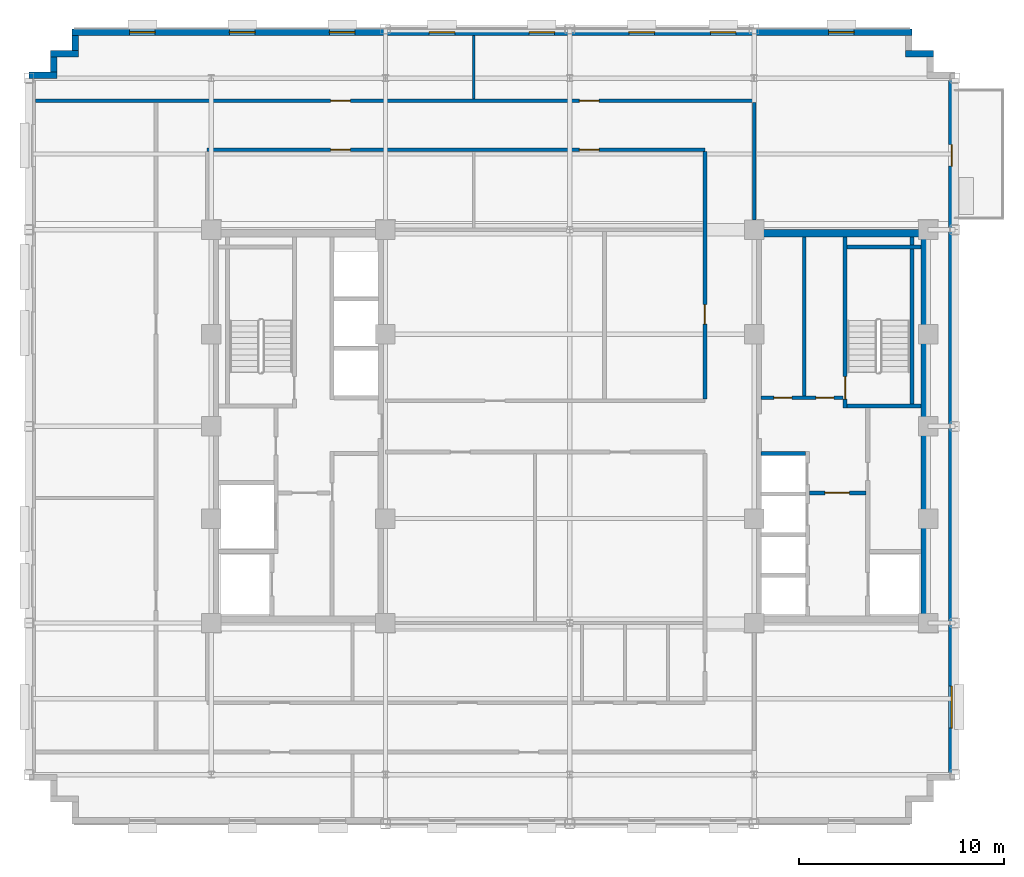
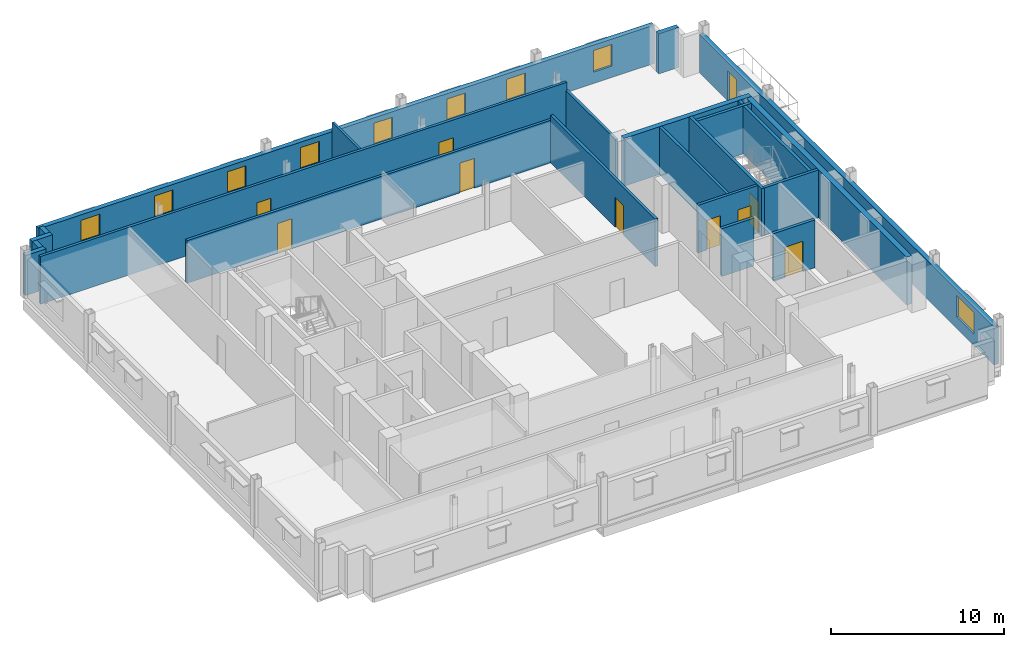
# One storey, part 8 of 13: 22 walls, 10 doors, 9 windows, 19 openings.
"""IFC4 building model written with IfcOpenShell, lengths in metres."""

from ifc_helpers import new_model, si_unit, direction, frame, frame_2d, origin, place, context, subcontext, project, spatial, rectangle, extrude, source, transform, mapped, material, layer, layer_set, type_object, type_shapes, element, fill, save


model = new_model("IFC4")

# Units and contexts
model_context = context("Model", 3, precision=1e-05, world=origin(), true_north=direction((0.0, 1.0)))
body_context = subcontext(model_context, "Body", "Model", "MODEL_VIEW")
ifc_project = project(units=[si_unit("LENGTHUNIT", "METRE"), si_unit("AREAUNIT", "SQUARE_METRE"), si_unit("VOLUMEUNIT", "CUBIC_METRE"), si_unit("PLANEANGLEUNIT", "RADIAN"), si_unit("MASSUNIT", "GRAM", prefix="KILO")], contexts=[model_context])

# Site, building, storey
site_placement = place(None, origin())
site = spatial("IfcSite", under=ifc_project, at=site_placement, CompositionType="ELEMENT")
building_placement = place(site_placement, origin())
building = spatial("IfcBuilding", under=site, at=building_placement, Name="Nuvemarco Arch Tower", CompositionType="ELEMENT")
storey_placement = place(building_placement, frame((0.0, 0.0, 220.10009765625)))
storey = spatial("IfcBuildingStorey", under=building, at=storey_placement, Name="L58", CompositionType="ELEMENT", Elevation=220.10009765625)

# Wall, openings, door, window
ifc_material_1 = material(Name="Precast concrete C45/55", Category="concrete")
ifc_layer_1 = layer(ifc_material_1, 0.31005859375, Name="EW-UPP-310")
ifc_layer_set_1 = layer_set([ifc_layer_1], Name="Precast concrete C45/55")
wall_type_1 = type_object("IfcWallType", Name="EW-UPP-310", PredefinedType="STANDARD", material=ifc_layer_set_1)
wall_1_placement = place(storey_placement, frame((18.64501953125, -16.993896484375, 0.0), z_axis=(0.0, 0.0, 1.0), x_axis=(0.0, 1.0, 0.0)))
wall_1 = element("IfcWall", 1, at=wall_1_placement, inside=storey, type_object=wall_type_1, Name="L58 exterior precast facade wall 6", PredefinedType="STANDARD", context=body_context, shape_type="SweptSolid", body=[
    extrude(rectangle(XDim=33.98779296875, YDim=0.31005859375, at=frame_2d((16.993896484375, 0.0))), origin(), (0.0, 0.0, 1.0), 2.704833984375),
])
opening_1_placement = place(wall_1_placement, frame((30.744140625, 0.0, 0.0), z_axis=(0.0, 0.0, 1.0), x_axis=(-1.0, 0.0, 0.0)))
opening_1 = element("IfcOpeningElement", 2, at=opening_1_placement, cuts=wall_1, Name="Opening ED-5", PredefinedType="OPENING", context=body_context, shape_type="SweptSolid", body=[
    extrude(rectangle(XDim=1.050048828125, YDim=2.10009765625, at=frame_2d((0.52490234375, 1.050048828125))), frame((0.0, 0.1650390625, 0.0), z_axis=(0.0, -1.0, 0.0), x_axis=(1.0, 0.0, 0.0)), (0.0, 0.0, 1.0), 0.330078125),
])
opening_2_placement = place(wall_1_placement, frame((2.260009765625, 0.0, 0.800048828125)))
opening_2 = element("IfcOpeningElement", 3, at=opening_2_placement, cuts=wall_1, Name="Opening WN-12", PredefinedType="OPENING", context=body_context, shape_type="SweptSolid", body=[
    extrude(rectangle(XDim=2.050048828125, YDim=1.52001953125, at=frame_2d((1.02490234375, 0.760009765625))), frame((0.0, 0.1650390625, 0.0), z_axis=(0.0, -1.0, 0.0), x_axis=(1.0, 0.0, 0.0)), (0.0, 0.0, 1.0), 0.330078125),
])
ifc_material_2 = material(Name="Anodised bronze and laminated glass", Category="glass")
door_type_1 = type_object("IfcDoorType", Name="DR-EXT-TERR", OperationType="NOTDEFINED", PredefinedType="DOOR", material=ifc_material_2)
shared_shape_1 = source(origin(), body_context, "Body", "SweptSolid", [
    extrude(rectangle(XDim=1.050048828125, YDim=2.10009765625, at=frame_2d((0.52490234375, 1.050048828125))), frame((0.0, 0.02490234375, 0.0), z_axis=(0.0, -1.0, 0.0), x_axis=(1.0, 0.0, 0.0)), (0.0, 0.0, 1.0), 0.050048828125),
])
type_shapes(door_type_1, [shared_shape_1])
door_1_placement = place(opening_1_placement, origin())
door_1 = element("IfcDoor", 4, at=door_1_placement, inside=storey, type_object=door_type_1, Name="L58 spiral terrace access door", OperationType="SINGLE_SWING_LEFT", OverallHeight=2.10009765625, OverallWidth=1.050048828125, PredefinedType="DOOR", context=body_context, shape_type="MappedRepresentation", body=[
    mapped(shared_shape_1, transform((0.0, 0.0, 0.0), scale=1.0)),
])
fill(opening_1, door_1)
ifc_material_3 = material(Name="Insulated solar-control glass", Category="glass")
window_type_1 = type_object("IfcWindowType", Name="WN-SET-2050x1520", PartitioningType="DOUBLE_PANEL_VERTICAL", PredefinedType="WINDOW", material=ifc_material_3)
shared_shape_2 = source(origin(), body_context, "Body", "SweptSolid", [
    extrude(rectangle(XDim=2.050048828125, YDim=1.52001953125, at=frame_2d((1.02490234375, 0.760009765625))), frame((0.0, 0.030029296875, 0.0), z_axis=(0.0, -1.0, 0.0), x_axis=(1.0, 0.0, 0.0)), (0.0, 0.0, 1.0), 0.06005859375),
])
type_shapes(window_type_1, [shared_shape_2])
window_1_placement = place(opening_2_placement, origin())
window_1 = element("IfcWindow", 5, at=window_1_placement, inside=storey, type_object=window_type_1, Name="L58 punched facade window 1", OverallHeight=1.52001953125, OverallWidth=2.050048828125, PartitioningType="SINGLE_PANEL", PredefinedType="WINDOW", context=body_context, shape_type="MappedRepresentation", body=[
    mapped(shared_shape_2, transform((0.0, 0.0, 0.0), scale=1.0)),
])
fill(opening_2, window_1)

# Wall
wall_2_placement = place(storey_placement, frame((16.389892578125, 18.195068359375, 0.0), z_axis=(0.0, 0.0, 1.0), x_axis=(1.0, 0.0, 0.0)))
element("IfcWall", 6, at=wall_2_placement, inside=storey, type_object=wall_type_1, Name="L58 exterior precast facade wall 9", PredefinedType="STANDARD", context=body_context, shape_type="SweptSolid", body=[
    extrude(rectangle(XDim=1.360107421875, YDim=0.31005859375, at=frame_2d((0.68017578125, 0.0))), origin(), (0.0, 0.0, 1.0), 2.81591796875),
])

# Wall, openings, windows
wall_3_placement = place(storey_placement, frame((-24.300048828125, 19.2451171875, 0.0), z_axis=(0.0, 0.0, 1.0), x_axis=(1.0, 0.0, 0.0)))
wall_3 = element("IfcWall", 7, at=wall_3_placement, inside=storey, type_object=wall_type_1, Name="L58 exterior precast facade wall 11", PredefinedType="STANDARD", context=body_context, shape_type="SweptSolid", body=[
    extrude(rectangle(XDim=41.0, YDim=0.31005859375, at=frame_2d((20.5, 0.0))), origin(), (0.0, 0.0, 1.0), 2.704833984375),
])
opening_3_placement = place(wall_3_placement, frame((2.8125, 0.0, 0.800048828125)))
opening_3 = element("IfcOpeningElement", 8, at=opening_3_placement, cuts=wall_3, Name="Opening WN-13", PredefinedType="OPENING", context=body_context, shape_type="SweptSolid", body=[
    extrude(rectangle(XDim=1.25, YDim=1.52001953125, at=frame_2d((0.625, 0.760009765625))), frame((0.0, 0.1650390625, 0.0), z_axis=(0.0, -1.0, 0.0), x_axis=(1.0, 0.0, 0.0)), (0.0, 0.0, 1.0), 0.330078125),
])
opening_4_placement = place(wall_3_placement, frame((7.6875, 0.0, 0.800048828125)))
opening_4 = element("IfcOpeningElement", 9, at=opening_4_placement, cuts=wall_3, Name="Opening WN-13", PredefinedType="OPENING", context=body_context, shape_type="SweptSolid", body=[
    extrude(rectangle(XDim=1.25, YDim=1.52001953125, at=frame_2d((0.625, 0.760009765625))), frame((0.0, 0.1650390625, 0.0), z_axis=(0.0, -1.0, 0.0), x_axis=(1.0, 0.0, 0.0)), (0.0, 0.0, 1.0), 0.330078125),
])
opening_5_placement = place(wall_3_placement, frame((12.5625, 0.0, 0.800048828125)))
opening_5 = element("IfcOpeningElement", 10, at=opening_5_placement, cuts=wall_3, Name="Opening WN-13", PredefinedType="OPENING", context=body_context, shape_type="SweptSolid", body=[
    extrude(rectangle(XDim=1.25, YDim=1.52001953125, at=frame_2d((0.625, 0.760009765625))), frame((0.0, 0.1650390625, 0.0), z_axis=(0.0, -1.0, 0.0), x_axis=(1.0, 0.0, 0.0)), (0.0, 0.0, 1.0), 0.330078125),
])
opening_6_placement = place(wall_3_placement, frame((17.4375, 0.0, 0.800048828125)))
opening_6 = element("IfcOpeningElement", 11, at=opening_6_placement, cuts=wall_3, Name="Opening WN-13", PredefinedType="OPENING", context=body_context, shape_type="SweptSolid", body=[
    extrude(rectangle(XDim=1.25, YDim=1.52001953125, at=frame_2d((0.625, 0.760009765625))), frame((0.0, 0.1650390625, 0.0), z_axis=(0.0, -1.0, 0.0), x_axis=(1.0, 0.0, 0.0)), (0.0, 0.0, 1.0), 0.330078125),
])
opening_7_placement = place(wall_3_placement, frame((22.3125, 0.0, 0.800048828125)))
opening_7 = element("IfcOpeningElement", 12, at=opening_7_placement, cuts=wall_3, Name="Opening WN-13", PredefinedType="OPENING", context=body_context, shape_type="SweptSolid", body=[
    extrude(rectangle(XDim=1.25, YDim=1.52001953125, at=frame_2d((0.625, 0.760009765625))), frame((0.0, 0.1650390625, 0.0), z_axis=(0.0, -1.0, 0.0), x_axis=(1.0, 0.0, 0.0)), (0.0, 0.0, 1.0), 0.330078125),
])
opening_8_placement = place(wall_3_placement, frame((27.1875, 0.0, 0.800048828125)))
opening_8 = element("IfcOpeningElement", 13, at=opening_8_placement, cuts=wall_3, Name="Opening WN-13", PredefinedType="OPENING", context=body_context, shape_type="SweptSolid", body=[
    extrude(rectangle(XDim=1.25, YDim=1.52001953125, at=frame_2d((0.625, 0.760009765625))), frame((0.0, 0.1650390625, 0.0), z_axis=(0.0, -1.0, 0.0), x_axis=(1.0, 0.0, 0.0)), (0.0, 0.0, 1.0), 0.330078125),
])
opening_9_placement = place(wall_3_placement, frame((31.16259765625, 0.0, 0.800048828125)))
opening_9 = element("IfcOpeningElement", 14, at=opening_9_placement, cuts=wall_3, Name="Opening WN-13", PredefinedType="OPENING", context=body_context, shape_type="SweptSolid", body=[
    extrude(rectangle(XDim=1.25, YDim=1.52001953125, at=frame_2d((0.625, 0.760009765625))), frame((0.0, 0.1650390625, 0.0), z_axis=(0.0, -1.0, 0.0), x_axis=(1.0, 0.0, 0.0)), (0.0, 0.0, 1.0), 0.330078125),
])
opening_10_placement = place(wall_3_placement, frame((36.9375, 0.0, 0.800048828125)))
opening_10 = element("IfcOpeningElement", 15, at=opening_10_placement, cuts=wall_3, Name="Opening WN-13", PredefinedType="OPENING", context=body_context, shape_type="SweptSolid", body=[
    extrude(rectangle(XDim=1.25, YDim=1.52001953125, at=frame_2d((0.625, 0.760009765625))), frame((0.0, 0.1650390625, 0.0), z_axis=(0.0, -1.0, 0.0), x_axis=(1.0, 0.0, 0.0)), (0.0, 0.0, 1.0), 0.330078125),
])
window_type_2 = type_object("IfcWindowType", Name="WN-SET-1250x1520", PartitioningType="SINGLE_PANEL", PredefinedType="WINDOW", material=ifc_material_3)
shared_shape_3 = source(origin(), body_context, "Body", "SweptSolid", [
    extrude(rectangle(XDim=1.25, YDim=1.52001953125, at=frame_2d((0.625, 0.760009765625))), frame((0.0, 0.030029296875, 0.0), z_axis=(0.0, -1.0, 0.0), x_axis=(1.0, 0.0, 0.0)), (0.0, 0.0, 1.0), 0.06005859375),
])
type_shapes(window_type_2, [shared_shape_3])
window_2_placement = place(opening_3_placement, origin())
window_2 = element("IfcWindow", 16, at=window_2_placement, inside=storey, type_object=window_type_2, Name="L58 punched facade window 1", OverallHeight=1.52001953125, OverallWidth=1.25, PartitioningType="SINGLE_PANEL", PredefinedType="WINDOW", context=body_context, shape_type="MappedRepresentation", body=[
    mapped(shared_shape_3, transform((0.0, 0.0, 0.0), scale=1.0)),
])
fill(opening_3, window_2)
window_3_placement = place(opening_4_placement, origin())
window_3 = element("IfcWindow", 17, at=window_3_placement, inside=storey, type_object=window_type_2, Name="L58 punched facade window 2", OverallHeight=1.52001953125, OverallWidth=1.25, PartitioningType="SINGLE_PANEL", PredefinedType="WINDOW", context=body_context, shape_type="MappedRepresentation", body=[
    mapped(shared_shape_3, transform((0.0, 0.0, 0.0), scale=1.0)),
])
fill(opening_4, window_3)
window_4_placement = place(opening_5_placement, origin())
window_4 = element("IfcWindow", 18, at=window_4_placement, inside=storey, type_object=window_type_2, Name="L58 punched facade window 3", OverallHeight=1.52001953125, OverallWidth=1.25, PartitioningType="SINGLE_PANEL", PredefinedType="WINDOW", context=body_context, shape_type="MappedRepresentation", body=[
    mapped(shared_shape_3, transform((0.0, 0.0, 0.0), scale=1.0)),
])
fill(opening_5, window_4)
window_5_placement = place(opening_6_placement, origin())
window_5 = element("IfcWindow", 19, at=window_5_placement, inside=storey, type_object=window_type_2, Name="L58 punched facade window 4", OverallHeight=1.52001953125, OverallWidth=1.25, PartitioningType="SINGLE_PANEL", PredefinedType="WINDOW", context=body_context, shape_type="MappedRepresentation", body=[
    mapped(shared_shape_3, transform((0.0, 0.0, 0.0), scale=1.0)),
])
fill(opening_6, window_5)
window_6_placement = place(opening_7_placement, origin())
window_6 = element("IfcWindow", 20, at=window_6_placement, inside=storey, type_object=window_type_2, Name="L58 punched facade window 5", OverallHeight=1.52001953125, OverallWidth=1.25, PartitioningType="SINGLE_PANEL", PredefinedType="WINDOW", context=body_context, shape_type="MappedRepresentation", body=[
    mapped(shared_shape_3, transform((0.0, 0.0, 0.0), scale=1.0)),
])
fill(opening_7, window_6)
window_7_placement = place(opening_8_placement, origin())
window_7 = element("IfcWindow", 21, at=window_7_placement, inside=storey, type_object=window_type_2, Name="L58 punched facade window 6", OverallHeight=1.52001953125, OverallWidth=1.25, PartitioningType="SINGLE_PANEL", PredefinedType="WINDOW", context=body_context, shape_type="MappedRepresentation", body=[
    mapped(shared_shape_3, transform((0.0, 0.0, 0.0), scale=1.0)),
])
fill(opening_8, window_7)
window_8_placement = place(opening_9_placement, origin())
window_8 = element("IfcWindow", 22, at=window_8_placement, inside=storey, type_object=window_type_2, Name="L58 punched facade window 7", OverallHeight=1.52001953125, OverallWidth=1.25, PartitioningType="SINGLE_PANEL", PredefinedType="WINDOW", context=body_context, shape_type="MappedRepresentation", body=[
    mapped(shared_shape_3, transform((0.0, 0.0, 0.0), scale=1.0)),
])
fill(opening_9, window_8)
window_9_placement = place(opening_10_placement, origin())
window_9 = element("IfcWindow", 23, at=window_9_placement, inside=storey, type_object=window_type_2, Name="L58 punched facade window 8", OverallHeight=1.52001953125, OverallWidth=1.25, PartitioningType="SINGLE_PANEL", PredefinedType="WINDOW", context=body_context, shape_type="MappedRepresentation", body=[
    mapped(shared_shape_3, transform((0.0, 0.0, 0.0), scale=1.0)),
])
fill(opening_10, window_9)

# Walls
wall_4_placement = place(storey_placement, frame((-24.14501953125, 18.345947265625, 0.0), z_axis=(0.0, 0.0, 1.0), x_axis=(0.0, 1.0, 0.0)))
element("IfcWall", 24, at=wall_4_placement, inside=storey, type_object=wall_type_1, Name="L58 exterior precast facade wall 12", PredefinedType="STANDARD", context=body_context, shape_type="SweptSolid", body=[
    extrude(rectangle(XDim=0.748046875, YDim=0.31005859375, at=frame_2d((0.3740234375, 0.0))), origin(), (0.0, 0.0, 1.0), 2.81591796875),
])
wall_5_placement = place(storey_placement, frame((-25.35009765625, 18.195068359375, 0.0), z_axis=(0.0, 0.0, 1.0), x_axis=(1.0, 0.0, 0.0)))
element("IfcWall", 25, at=wall_5_placement, inside=storey, type_object=wall_type_1, Name="L58 exterior precast facade wall 13", PredefinedType="STANDARD", context=body_context, shape_type="SweptSolid", body=[
    extrude(rectangle(XDim=1.360107421875, YDim=0.31005859375, at=frame_2d((0.68017578125, 0.0))), origin(), (0.0, 0.0, 1.0), 2.81591796875),
])
wall_6_placement = place(storey_placement, frame((-25.195068359375, 17.2958984375, 0.0), z_axis=(0.0, 0.0, 1.0), x_axis=(0.0, 1.0, 0.0)))
element("IfcWall", 26, at=wall_6_placement, inside=storey, type_object=wall_type_1, Name="L58 exterior precast facade wall 14", PredefinedType="STANDARD", context=body_context, shape_type="SweptSolid", body=[
    extrude(rectangle(XDim=0.748046875, YDim=0.31005859375, at=frame_2d((0.3740234375, 0.0))), origin(), (0.0, 0.0, 1.0), 2.81591796875),
])
wall_7_placement = place(storey_placement, frame((-26.39990234375, 17.14501953125, 0.0), z_axis=(0.0, 0.0, 1.0), x_axis=(1.0, 0.0, 0.0)))
element("IfcWall", 27, at=wall_7_placement, inside=storey, type_object=wall_type_1, Name="L58 exterior precast facade wall 15", PredefinedType="STANDARD", context=body_context, shape_type="SweptSolid", body=[
    extrude(rectangle(XDim=1.35986328125, YDim=0.31005859375, at=frame_2d((0.679931640625, 0.0))), origin(), (0.0, 0.0, 1.0), 2.81591796875),
])
ifc_material_4 = material(Name="Concrete C50/60", Category="concrete")
ifc_layer_2 = layer(ifc_material_4, 0.35009765625, Name="WL-CORE-350")
ifc_layer_set_2 = layer_set([ifc_layer_2], Name="Concrete C50/60")
wall_type_2 = type_object("IfcWallType", Name="WL-CORE-350", PredefinedType="SHEAR", material=ifc_layer_set_2)
wall_8_placement = place(storey_placement, frame((9.0, 9.425048828125, 0.0), z_axis=(0.0, 0.0, 1.0), x_axis=(1.0, 0.0, 0.0)))
element("IfcWall", 28, at=wall_8_placement, inside=storey, type_object=wall_type_2, Name="L58 E-core shear wall N", PredefinedType="SHEAR", context=body_context, shape_type="SweptSolid", body=[
    extrude(rectangle(XDim=8.5, YDim=0.35009765625, at=frame_2d((4.25, 0.0))), origin(), (0.0, 0.0, 1.0), 3.369873046875),
])
wall_9_placement = place(storey_placement, frame((17.324951171875, -9.2548828125, 0.0), z_axis=(0.0, 0.0, 1.0), x_axis=(0.0, 1.0, 0.0)))
element("IfcWall", 29, at=wall_9_placement, inside=storey, type_object=wall_type_2, Name="L58 E-core shear wall E", PredefinedType="SHEAR", context=body_context, shape_type="SweptSolid", body=[
    extrude(rectangle(XDim=18.509765625, YDim=0.35009765625, at=frame_2d((9.2548828125, 0.0))), origin(), (0.0, 0.0, 1.0), 3.369873046875),
])

# Wall, openings, doors
ifc_material_5 = material(Name="Fire-rated gypsum drywall partition")
ifc_layer_3 = layer(ifc_material_5, 0.179931640625, Name="WL-CORR-180")
ifc_layer_set_3 = layer_set([ifc_layer_3], Name="Fire-rated gypsum drywall partition")
wall_type_3 = type_object("IfcWallType", Name="WL-CORR-180", PredefinedType="PARTITIONING", material=ifc_layer_set_3)
wall_10_placement = place(storey_placement, frame((9.344970703125, 1.39990234375, 0.0), z_axis=(0.0, 0.0, 1.0), x_axis=(1.0, 0.0, 0.0)))
wall_10 = element("IfcWall", 30, at=wall_10_placement, inside=storey, type_object=wall_type_3, Name="L58 interior wall IW-L58-EK-S", PredefinedType="PARTITIONING", context=body_context, shape_type="SweptSolid", body=[
    extrude(rectangle(XDim=4.0, YDim=0.179931640625, at=frame_2d((2.0, 0.0))), origin(), (0.0, 0.0, 1.0), 3.35986328125),
])
opening_11_placement = place(wall_10_placement, frame((0.614990234375, 0.0, 0.0)))
opening_11 = element("IfcOpeningElement", 31, at=opening_11_placement, cuts=wall_10, Name="Opening FD-4", PredefinedType="OPENING", context=body_context, shape_type="SweptSolid", body=[
    extrude(rectangle(XDim=0.8798828125, YDim=2.10009765625, at=frame_2d((0.43994140625, 1.050048828125))), frame((0.0, 0.099853515625, 0.0), z_axis=(0.0, -1.0, 0.0), x_axis=(1.0, 0.0, 0.0)), (0.0, 0.0, 1.0), 0.199951171875),
])
opening_12_placement = place(wall_10_placement, frame((2.6650390625, 0.0, 0.0)))
opening_12 = element("IfcOpeningElement", 32, at=opening_12_placement, cuts=wall_10, Name="Opening FD-4", PredefinedType="OPENING", context=body_context, shape_type="SweptSolid", body=[
    extrude(rectangle(XDim=0.8798828125, YDim=2.10009765625, at=frame_2d((0.43994140625, 1.050048828125))), frame((0.0, 0.099853515625, 0.0), z_axis=(0.0, -1.0, 0.0), x_axis=(1.0, 0.0, 0.0)), (0.0, 0.0, 1.0), 0.199951171875),
])
ifc_material_6 = material(Name="Anodised steel fire door", Category="steel")
door_type_2 = type_object("IfcDoorType", Name="DR-RISER-FD", OperationType="NOTDEFINED", PredefinedType="DOOR", material=ifc_material_6)
shared_shape_4 = source(origin(), body_context, "Body", "SweptSolid", [
    extrude(rectangle(XDim=0.8798828125, YDim=2.10009765625, at=frame_2d((0.43994140625, 1.050048828125))), frame((0.0, 0.02490234375, 0.0), z_axis=(0.0, -1.0, 0.0), x_axis=(1.0, 0.0, 0.0)), (0.0, 0.0, 1.0), 0.050048828125),
])
type_shapes(door_type_2, [shared_shape_4])
door_2_placement = place(opening_11_placement, origin())
door_2 = element("IfcDoor", 33, at=door_2_placement, inside=storey, type_object=door_type_2, Name="L58 door FD-L58-EK2A", OperationType="SINGLE_SWING_RIGHT", OverallHeight=2.10009765625, OverallWidth=0.8798828125, PredefinedType="DOOR", context=body_context, shape_type="MappedRepresentation", body=[
    mapped(shared_shape_4, transform((0.0, 0.0, 0.0), scale=1.0)),
])
fill(opening_11, door_2)
door_3_placement = place(opening_12_placement, origin())
door_3 = element("IfcDoor", 34, at=door_3_placement, inside=storey, type_object=door_type_2, Name="L58 door FD-L58-EK2B", OperationType="SINGLE_SWING_LEFT", OverallHeight=2.10009765625, OverallWidth=0.8798828125, PredefinedType="DOOR", context=body_context, shape_type="MappedRepresentation", body=[
    mapped(shared_shape_4, transform((0.0, 0.0, 0.0), scale=1.0)),
])
fill(opening_12, door_3)

# Wall
wall_11_placement = place(storey_placement, frame((11.449951171875, 1.489990234375, 0.0), z_axis=(0.0, 0.0, 1.0), x_axis=(0.0, 1.0, 0.0)))
element("IfcWall", 35, at=wall_11_placement, inside=storey, type_object=wall_type_3, Name="L58 interior wall IW-L58-EK2", PredefinedType="PARTITIONING", context=body_context, shape_type="SweptSolid", body=[
    extrude(rectangle(XDim=7.764892578125, YDim=0.179931640625, at=frame_2d((3.88232421875, 0.0))), origin(), (0.0, 0.0, 1.0), 3.35986328125),
])

# Wall, openings, doors
wall_12_placement = place(storey_placement, frame((-17.699951171875, 13.5, 0.0), z_axis=(0.0, 0.0, 1.0), x_axis=(1.0, 0.0, 0.0)))
wall_12 = element("IfcWall", 36, at=wall_12_placement, inside=storey, type_object=wall_type_3, Name="L58 interior wall IW-L58-010", PredefinedType="PARTITIONING", context=body_context, shape_type="SweptSolid", body=[
    extrude(rectangle(XDim=24.300048828125, YDim=0.179931640625, at=frame_2d((12.14990234375, 0.0))), origin(), (0.0, 0.0, 1.0), 3.0078125),
])
opening_13_placement = place(wall_12_placement, frame((6.02490234375, 0.0, 0.0)))
opening_13 = element("IfcOpeningElement", 37, at=opening_13_placement, cuts=wall_12, Name="Opening FD-5", PredefinedType="OPENING", context=body_context, shape_type="SweptSolid", body=[
    extrude(rectangle(XDim=0.9599609375, YDim=2.10009765625, at=frame_2d((0.47998046875, 1.050048828125))), frame((0.0, 0.099853515625, 0.0), z_axis=(0.0, -1.0, 0.0), x_axis=(1.0, 0.0, 0.0)), (0.0, 0.0, 1.0), 0.199951171875),
])
opening_14_placement = place(wall_12_placement, frame((18.175048828125, 0.0, 0.0)))
opening_14 = element("IfcOpeningElement", 38, at=opening_14_placement, cuts=wall_12, Name="Opening FD-5", PredefinedType="OPENING", context=body_context, shape_type="SweptSolid", body=[
    extrude(rectangle(XDim=0.9599609375, YDim=2.10009765625, at=frame_2d((0.47998046875, 1.050048828125))), frame((0.0, 0.099853515625, 0.0), z_axis=(0.0, -1.0, 0.0), x_axis=(1.0, 0.0, 0.0)), (0.0, 0.0, 1.0), 0.199951171875),
])
ifc_material_7 = material(Name="Timber fire door", Category="wood")
door_type_3 = type_object("IfcDoorType", Name="DR-CORR-FD", OperationType="NOTDEFINED", PredefinedType="DOOR", material=ifc_material_7)
shared_shape_5 = source(origin(), body_context, "Body", "SweptSolid", [
    extrude(rectangle(XDim=0.9599609375, YDim=2.10009765625, at=frame_2d((0.47998046875, 1.050048828125))), frame((0.0, 0.02490234375, 0.0), z_axis=(0.0, -1.0, 0.0), x_axis=(1.0, 0.0, 0.0)), (0.0, 0.0, 1.0), 0.050048828125),
])
type_shapes(door_type_3, [shared_shape_5])
door_4_placement = place(opening_13_placement, origin())
door_4 = element("IfcDoor", 39, at=door_4_placement, inside=storey, type_object=door_type_3, Name="L58 door DR-L58-IN_N1", OperationType="SINGLE_SWING_LEFT", OverallHeight=2.10009765625, OverallWidth=0.9599609375, PredefinedType="DOOR", context=body_context, shape_type="MappedRepresentation", body=[
    mapped(shared_shape_5, transform((0.0, 0.0, 0.0), scale=1.0)),
])
fill(opening_13, door_4)
door_5_placement = place(opening_14_placement, origin())
door_5 = element("IfcDoor", 40, at=door_5_placement, inside=storey, type_object=door_type_3, Name="L58 door DR-L58-N_2_2", OperationType="SINGLE_SWING_LEFT", OverallHeight=2.10009765625, OverallWidth=0.9599609375, PredefinedType="DOOR", context=body_context, shape_type="MappedRepresentation", body=[
    mapped(shared_shape_5, transform((0.0, 0.0, 0.0), scale=1.0)),
])
fill(opening_14, door_5)

wall_13_placement = place(storey_placement, frame((-26.090087890625, 15.89990234375, 0.0), z_axis=(0.0, 0.0, 1.0), x_axis=(1.0, 0.0, 0.0)))
wall_13 = element("IfcWall", 41, at=wall_13_placement, inside=storey, type_object=wall_type_3, Name="L58 interior wall IW-L58-011", PredefinedType="PARTITIONING", context=body_context, shape_type="SweptSolid", body=[
    extrude(rectangle(XDim=35.090087890625, YDim=0.179931640625, at=frame_2d((17.544921875, 0.0))), origin(), (0.0, 0.0, 1.0), 3.35986328125),
])
opening_15_placement = place(wall_13_placement, frame((14.4150390625, 0.0, 0.0)))
opening_15 = element("IfcOpeningElement", 42, at=opening_15_placement, cuts=wall_13, Name="Opening FD-5", PredefinedType="OPENING", context=body_context, shape_type="SweptSolid", body=[
    extrude(rectangle(XDim=0.9599609375, YDim=2.10009765625, at=frame_2d((0.47998046875, 1.050048828125))), frame((0.0, 0.099853515625, 0.0), z_axis=(0.0, -1.0, 0.0), x_axis=(1.0, 0.0, 0.0)), (0.0, 0.0, 1.0), 0.199951171875),
])
opening_16_placement = place(wall_13_placement, frame((26.56494140625, 0.0, 0.0)))
opening_16 = element("IfcOpeningElement", 43, at=opening_16_placement, cuts=wall_13, Name="Opening FD-5", PredefinedType="OPENING", context=body_context, shape_type="SweptSolid", body=[
    extrude(rectangle(XDim=0.9599609375, YDim=2.10009765625, at=frame_2d((0.47998046875, 1.050048828125))), frame((0.0, 0.099853515625, 0.0), z_axis=(0.0, -1.0, 0.0), x_axis=(1.0, 0.0, 0.0)), (0.0, 0.0, 1.0), 0.199951171875),
])
door_6_placement = place(opening_15_placement, origin())
door_6 = element("IfcDoor", 44, at=door_6_placement, inside=storey, type_object=door_type_3, Name="L58 door DR-L58-N_1", OperationType="SINGLE_SWING_RIGHT", OverallHeight=2.10009765625, OverallWidth=0.9599609375, PredefinedType="DOOR", context=body_context, shape_type="MappedRepresentation", body=[
    mapped(shared_shape_5, transform((0.0, 0.0, 0.0), scale=1.0)),
])
fill(opening_15, door_6)
door_7_placement = place(opening_16_placement, origin())
door_7 = element("IfcDoor", 45, at=door_7_placement, inside=storey, type_object=door_type_3, Name="L58 door DR-L58-N_2", OperationType="SINGLE_SWING_RIGHT", OverallHeight=2.10009765625, OverallWidth=0.9599609375, PredefinedType="DOOR", context=body_context, shape_type="MappedRepresentation", body=[
    mapped(shared_shape_5, transform((0.0, 0.0, 0.0), scale=1.0)),
])
fill(opening_16, door_7)

# Wall, opening, door
wall_14_placement = place(storey_placement, frame((6.60009765625, 1.3359375, 0.0), z_axis=(0.0, 0.0, 1.0), x_axis=(0.0, 1.0, 0.0)))
wall_14 = element("IfcWall", 46, at=wall_14_placement, inside=storey, type_object=wall_type_3, Name="L58 interior wall IW-L58-025", PredefinedType="PARTITIONING", context=body_context, shape_type="SweptSolid", body=[
    extrude(rectangle(XDim=12.078125, YDim=0.179931640625, at=frame_2d((6.0390625, 0.0))), origin(), (0.0, 0.0, 1.0), 3.35986328125),
])
opening_17_placement = place(wall_14_placement, frame((3.652099609375, 0.0, 0.0)))
opening_17 = element("IfcOpeningElement", 47, at=opening_17_placement, cuts=wall_14, Name="Opening FD-5", PredefinedType="OPENING", context=body_context, shape_type="SweptSolid", body=[
    extrude(rectangle(XDim=0.9599609375, YDim=2.10009765625, at=frame_2d((0.47998046875, 1.050048828125))), frame((0.0, 0.099853515625, 0.0), z_axis=(0.0, -1.0, 0.0), x_axis=(1.0, 0.0, 0.0)), (0.0, 0.0, 1.0), 0.199951171875),
])
door_8_placement = place(opening_17_placement, origin())
door_8 = element("IfcDoor", 48, at=door_8_placement, inside=storey, type_object=door_type_3, Name="L58 door DR-L58-C_NE", OperationType="SINGLE_SWING_RIGHT", OverallHeight=2.10009765625, OverallWidth=0.9599609375, PredefinedType="DOOR", context=body_context, shape_type="MappedRepresentation", body=[
    mapped(shared_shape_5, transform((0.0, 0.0, 0.0), scale=1.0)),
])
fill(opening_17, door_8)

# Walls
wall_15_placement = place(storey_placement, frame((9.0, 10.071044921875, 0.0), z_axis=(0.0, 0.0, 1.0), x_axis=(0.0, 1.0, 0.0)))
element("IfcWall", 49, at=wall_15_placement, inside=storey, type_object=wall_type_3, Name="L58 interior wall IW-L58-027", PredefinedType="PARTITIONING", context=body_context, shape_type="SweptSolid", body=[
    extrude(rectangle(XDim=5.742919921875, YDim=0.179931640625, at=frame_2d((2.87158203125, 0.0))), origin(), (0.0, 0.0, 1.0), 2.81591796875),
])
ifc_material_8 = material(Name="Gypsum plasterboard partition")
ifc_layer_4 = layer(ifc_material_8, 0.139892578125, Name="WL-ROOM-140")
ifc_layer_set_4 = layer_set([ifc_layer_4], Name="Gypsum plasterboard partition")
wall_type_4 = type_object("IfcWallType", Name="WL-ROOM-140", PredefinedType="PARTITIONING", material=ifc_layer_set_4)
wall_16_placement = place(storey_placement, frame((-4.68994140625, 15.986083984375, 0.0), z_axis=(0.0, 0.0, 1.0), x_axis=(0.0, 1.0, 0.0)))
element("IfcWall", 50, at=wall_16_placement, inside=storey, type_object=wall_type_4, Name="L58 interior wall IW-L58-018", PredefinedType="PARTITIONING", context=body_context, shape_type="SweptSolid", body=[
    extrude(rectangle(XDim=3.10400390625, YDim=0.139892578125, at=frame_2d((1.552001953125, 0.0))), origin(), (0.0, 0.0, 1.0), 3.35986328125),
])

# Wall, opening, door
ifc_layer_5 = layer(ifc_material_4, 0.199951171875, Name="WL-SHAFT-220")
ifc_layer_set_5 = layer_set([ifc_layer_5], Name="Concrete C50/60")
wall_type_5 = type_object("IfcWallType", Name="WL-SHAFT-220", PredefinedType="SHEAR", material=ifc_layer_set_5)
wall_17_placement = place(storey_placement, frame((13.43994140625, 0.89990234375, 0.0), z_axis=(0.0, 0.0, 1.0), x_axis=(0.0, 1.0, 0.0)))
wall_17 = element("IfcWall", 51, at=wall_17_placement, inside=storey, type_object=wall_type_5, Name="L58 structural shaft wall SW-L58-E-ST2W", PredefinedType="SHEAR", context=body_context, shape_type="SweptSolid", body=[
    extrude(rectangle(XDim=8.35498046875, YDim=0.199951171875, at=frame_2d((4.177490234375, 0.0))), origin(), (0.0, 0.0, 1.0), 3.369873046875),
])
opening_18_placement = place(wall_17_placement, frame((0.429931640625, 0.0, 0.0)))
opening_18 = element("IfcOpeningElement", 52, at=opening_18_placement, cuts=wall_17, Name="Opening FD-1", PredefinedType="OPENING", context=body_context, shape_type="SweptSolid", body=[
    extrude(rectangle(XDim=1.10009765625, YDim=2.14990234375, at=frame_2d((0.550048828125, 1.074951171875))), frame((0.0, 0.10986328125, 0.0), z_axis=(0.0, -1.0, 0.0), x_axis=(1.0, 0.0, 0.0)), (0.0, 0.0, 1.0), 0.219970703125),
])
door_type_4 = type_object("IfcDoorType", Name="DR-STAIR-FD", OperationType="NOTDEFINED", PredefinedType="DOOR", material=ifc_material_6)
shared_shape_6 = source(origin(), body_context, "Body", "SweptSolid", [
    extrude(rectangle(XDim=1.10009765625, YDim=2.14990234375, at=frame_2d((0.550048828125, 1.074951171875))), frame((0.0, 0.02490234375, 0.0), z_axis=(0.0, -1.0, 0.0), x_axis=(1.0, 0.0, 0.0)), (0.0, 0.0, 1.0), 0.050048828125),
])
type_shapes(door_type_4, [shared_shape_6])
door_9_placement = place(opening_18_placement, origin())
door_9 = element("IfcDoor", 53, at=door_9_placement, inside=storey, type_object=door_type_4, Name="L58 door FD-L58-ST2", OperationType="SINGLE_SWING_RIGHT", OverallHeight=2.14990234375, OverallWidth=1.10009765625, PredefinedType="DOOR", context=body_context, shape_type="MappedRepresentation", body=[
    mapped(shared_shape_6, transform((0.0, 0.0, 0.0), scale=1.0)),
])
fill(opening_18, door_9)

# Walls
for number, where, z_axis, x_axis, name in (
    (54, (13.534912109375, 1.0, 0.0), (0.0, 0.0, 1.0), (1.0, 0.0, 0.0), "L58 structural shaft wall SW-L58-E-ST2S"),
    (55, (13.534912109375, 8.75, 0.0), (0.0, 0.0, 1.0), (1.0, 0.0, 0.0), "L58 structural shaft wall SW-L58-E-ST2N"),
):
    element("IfcWall", number, at=place(storey_placement, frame(where, z_axis=z_axis, x_axis=x_axis)), inside=storey, type_object=wall_type_5, Name=name, PredefinedType="SHEAR", context=body_context, shape_type="SweptSolid", body=[
        extrude(rectangle(XDim=3.6201171875, YDim=0.199951171875, at=frame_2d((1.81005859375, 0.0))), origin(), (0.0, 0.0, 1.0), 3.369873046875),
    ])
wall_18_placement = place(storey_placement, frame((16.699951171875, 1.094970703125, 0.0), z_axis=(0.0, 0.0, 1.0), x_axis=(0.0, 1.0, 0.0)))
element("IfcWall", 56, at=wall_18_placement, inside=storey, type_object=wall_type_5, Name="L58 structural shaft wall SW-L58-E-ST2E", PredefinedType="SHEAR", context=body_context, shape_type="SweptSolid", body=[
    extrude(rectangle(XDim=8.159912109375, YDim=0.199951171875, at=frame_2d((4.080078125, 0.0))), origin(), (0.0, 0.0, 1.0), 3.369873046875),
])

# Wall, opening, door
wall_19_placement = place(storey_placement, frame((11.695068359375, -3.25, 0.0), z_axis=(0.0, 0.0, 1.0), x_axis=(1.0, 0.0, 0.0)))
wall_19 = element("IfcWall", 57, at=wall_19_placement, inside=storey, type_object=wall_type_5, Name="L58 structural shaft wall SW-L58-E-FFN", PredefinedType="SHEAR", context=body_context, shape_type="SweptSolid", body=[
    extrude(rectangle(XDim=2.760009765625, YDim=0.199951171875, at=frame_2d((1.3798828125, 0.0))), origin(), (0.0, 0.0, 1.0), 3.369873046875),
])
opening_19_placement = place(wall_19_placement, frame((0.7548828125, 0.0, 0.0)))
opening_19 = element("IfcOpeningElement", 58, at=opening_19_placement, cuts=wall_19, Name="Opening FD-2", PredefinedType="OPENING", context=body_context, shape_type="SweptSolid", body=[
    extrude(rectangle(XDim=1.199951171875, YDim=2.14990234375, at=frame_2d((0.60009765625, 1.074951171875))), frame((0.0, 0.10986328125, 0.0), z_axis=(0.0, -1.0, 0.0), x_axis=(1.0, 0.0, 0.0)), (0.0, 0.0, 1.0), 0.219970703125),
])
door_type_5 = type_object("IfcDoorType", Name="DR-FFLOB-FD", OperationType="NOTDEFINED", PredefinedType="DOOR", material=ifc_material_6)
shared_shape_7 = source(origin(), body_context, "Body", "SweptSolid", [
    extrude(rectangle(XDim=1.199951171875, YDim=2.14990234375, at=frame_2d((0.60009765625, 1.074951171875))), frame((0.0, 0.02490234375, 0.0), z_axis=(0.0, -1.0, 0.0), x_axis=(1.0, 0.0, 0.0)), (0.0, 0.0, 1.0), 0.050048828125),
])
type_shapes(door_type_5, [shared_shape_7])
door_10_placement = place(opening_19_placement, origin())
door_10 = element("IfcDoor", 59, at=door_10_placement, inside=storey, type_object=door_type_5, Name="L58 door FD-L58-EFF2", OperationType="SINGLE_SWING_RIGHT", OverallHeight=2.14990234375, OverallWidth=1.199951171875, PredefinedType="DOOR", context=body_context, shape_type="MappedRepresentation", body=[
    mapped(shared_shape_7, transform((0.0, 0.0, 0.0), scale=1.0)),
])
fill(opening_19, door_10)

# Wall
wall_20_placement = place(storey_placement, frame((9.344970703125, -1.330078125, 0.0), z_axis=(0.0, 0.0, 1.0), x_axis=(1.0, 0.0, 0.0)))
element("IfcWall", 60, at=wall_20_placement, inside=storey, type_object=wall_type_5, Name="L58 structural shaft wall SW-L58-E-PMD4", PredefinedType="SHEAR", context=body_context, shape_type="SweptSolid", body=[
    extrude(rectangle(XDim=2.159912109375, YDim=0.199951171875, at=frame_2d((1.080078125, 0.0))), origin(), (0.0, 0.0, 1.0), 3.369873046875),
])

save(model, "model.ifc")
